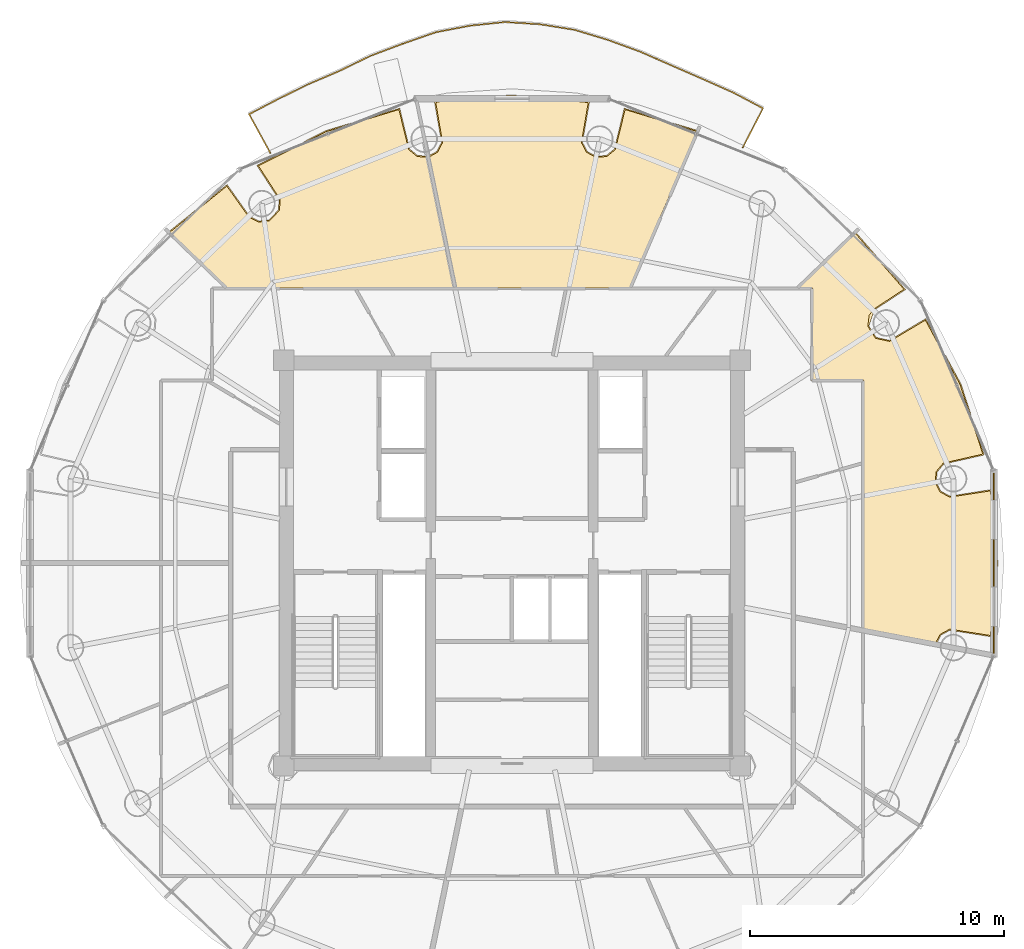
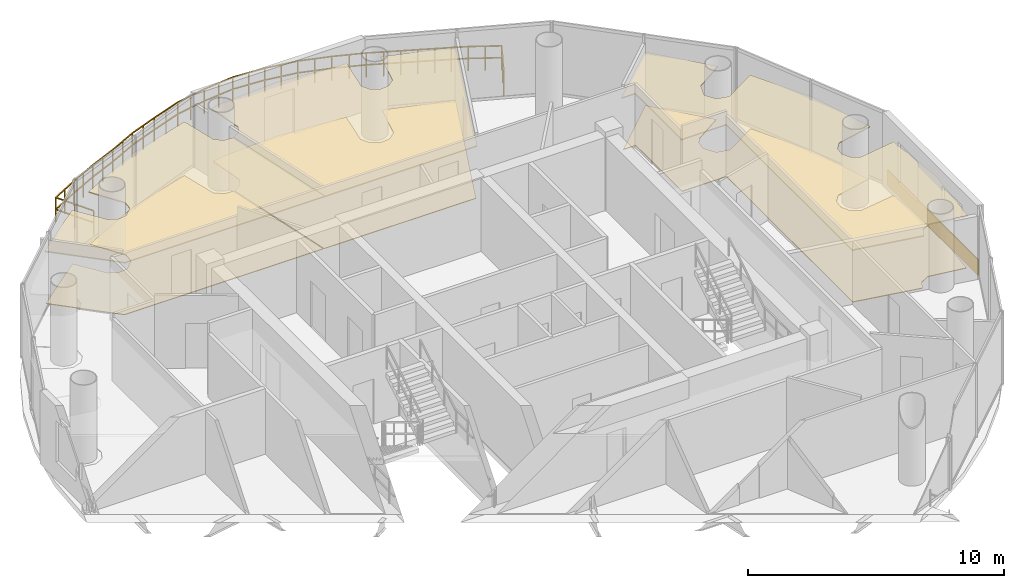
# One storey, part 23 of 23: 7 coverings, 1 railing.
"""IFC4 building model written with IfcOpenShell, lengths in metres."""

from ifc_helpers import new_model, si_unit, direction, frame, origin, origin_2d, place, context, subcontext, project, spatial, polyline, rectangle, outline, extrude, source, transform, mapped, material, layer, layer_set, type_object, element, save


model = new_model("IFC4")

# Units and contexts
model_context = context("Model", 3, precision=1e-05, world=origin(), true_north=direction((-0.2419218956, 0.970295726276)))
body_context = subcontext(model_context, "Body", "Model", "MODEL_VIEW")
ifc_project = project(units=[si_unit("LENGTHUNIT", "METRE"), si_unit("AREAUNIT", "SQUARE_METRE"), si_unit("VOLUMEUNIT", "CUBIC_METRE"), si_unit("PLANEANGLEUNIT", "RADIAN"), si_unit("MASSUNIT", "GRAM", prefix="KILO")], contexts=[model_context])

# Site, building, storey
site_placement = place(None, origin())
site = spatial("IfcSite", under=ifc_project, at=site_placement, CompositionType="ELEMENT")
building_placement = place(site_placement, origin())
building = spatial("IfcBuilding", under=site, at=building_placement, Name="Cobrevalo Terracotta Tower", CompositionType="ELEMENT")
storey_placement = place(building_placement, frame((0.0, 0.0, 263.199951171875)))
storey = spatial("IfcBuildingStorey", under=building, at=storey_placement, Name="L69", CompositionType="ELEMENT", Elevation=263.199951171875)

# Railing
ifc_material_1 = material(Name="Laminated structural glass and stainless steel", Category="steel")
railing_type = type_object("IfcRailingType", Name="Balcony lobe structural glass & terracotta-cap balustrade 1180 mm", PredefinedType="BALUSTRADE", material=ifc_material_1)
railing_placement = place(storey_placement, frame((47.09619140625, 43.18212890625, 0.0)))
element("IfcRailing", 1, at=railing_placement, inside=storey, type_object=railing_type, Name="L69 spiralling balcony lobe balustrade 1", PredefinedType="BALUSTRADE", context=body_context, shape_type="SweptSolid", body=[
    extrude(rectangle(XDim=0.048095703125, YDim=0.048095703125, at=origin_2d()), frame((0.0, 0.0, 1.15576171875), z_axis=(0.458575315671, 0.888655546237, 0.0), x_axis=(-0.888655546237, 0.458575315671, 0.0)), (0.0, 0.0, 1.0), 1.747802734375),
    extrude(rectangle(XDim=0.048095703125, YDim=0.048095703125, at=origin_2d()), frame((0.0, 0.0, 0.58984375), z_axis=(0.458575315671, 0.888655546237, 0.0), x_axis=(-0.888655546237, 0.458575315671, 0.0)), (0.0, 0.0, 1.0), 1.747802734375),
    extrude(rectangle(XDim=0.048095703125, YDim=0.048095703125, at=origin_2d()), frame((0.801513671875, 1.55322265625, 1.15576171875), z_axis=(-0.884233821263, 0.46704448325, 0.0), x_axis=(-0.46704448325, -0.884233821263, 0.0)), (0.0, 0.0, 1.0), 1.3173828125),
    extrude(rectangle(XDim=0.048095703125, YDim=0.048095703125, at=origin_2d()), frame((0.801513671875, 1.55322265625, 0.58984375), z_axis=(-0.884233821263, 0.46704448325, 0.0), x_axis=(-0.46704448325, -0.884233821263, 0.0)), (0.0, 0.0, 1.0), 1.3173828125),
    extrude(rectangle(XDim=0.048095703125, YDim=0.048095703125, at=origin_2d()), frame((-0.36328125, 2.16845703125, 1.15576171875), z_axis=(-0.913895497195, 0.405949529137, 0.0), x_axis=(-0.405949529137, -0.913895497195, 0.0)), (0.0, 0.0, 1.0), 1.31884765625),
    extrude(rectangle(XDim=0.048095703125, YDim=0.048095703125, at=origin_2d()), frame((-0.36328125, 2.16845703125, 0.58984375), z_axis=(-0.913895497195, 0.405949529137, 0.0), x_axis=(-0.405949529137, -0.913895497195, 0.0)), (0.0, 0.0, 1.0), 1.31884765625),
    extrude(rectangle(XDim=0.048095703125, YDim=0.048095703125, at=origin_2d()), frame((-1.568603515625, 2.703857421875, 1.15576171875), z_axis=(-0.916644342152, 0.399703827853, 0.0), x_axis=(-0.399703827853, -0.916644342152, 0.0)), (0.0, 0.0, 1.0), 1.332763671875),
    extrude(rectangle(XDim=0.048095703125, YDim=0.048095703125, at=origin_2d()), frame((-1.568603515625, 2.703857421875, 0.58984375), z_axis=(-0.916644342152, 0.399703827853, 0.0), x_axis=(-0.399703827853, -0.916644342152, 0.0)), (0.0, 0.0, 1.0), 1.332763671875),
    extrude(rectangle(XDim=0.048095703125, YDim=0.048095703125, at=origin_2d()), frame((-2.790283203125, 3.236572265625, 1.15576171875), z_axis=(-0.915480130157, 0.402363183315, 0.0), x_axis=(-0.402363183315, -0.915480130157, 0.0)), (0.0, 0.0, 1.0), 1.351318359375),
    extrude(rectangle(XDim=0.048095703125, YDim=0.048095703125, at=origin_2d()), frame((-2.790283203125, 3.236572265625, 0.58984375), z_axis=(-0.915480130157, 0.402363183315, 0.0), x_axis=(-0.402363183315, -0.915480130157, 0.0)), (0.0, 0.0, 1.0), 1.351318359375),
    extrude(rectangle(XDim=0.048095703125, YDim=0.048095703125, at=origin_2d()), frame((-4.02734375, 3.7802734375, 1.15576171875), z_axis=(-0.939396574317, 0.342832431608, 0.0), x_axis=(-0.342832431608, -0.939396574317, 0.0)), (0.0, 0.0, 1.0), 1.3671875),
    extrude(rectangle(XDim=0.048095703125, YDim=0.048095703125, at=origin_2d()), frame((-4.02734375, 3.7802734375, 0.58984375), z_axis=(-0.939396574317, 0.342832431608, 0.0), x_axis=(-0.342832431608, -0.939396574317, 0.0)), (0.0, 0.0, 1.0), 1.3671875),
    extrude(rectangle(XDim=0.048095703125, YDim=0.048095703125, at=origin_2d()), frame((-5.311767578125, 4.2490234375, 1.15576171875), z_axis=(-0.957131551735, 0.289653573555, 0.0), x_axis=(-0.289653573555, -0.957131551735, 0.0)), (0.0, 0.0, 1.0), 1.37890625),
    extrude(rectangle(XDim=0.048095703125, YDim=0.048095703125, at=origin_2d()), frame((-5.311767578125, 4.2490234375, 0.58984375), z_axis=(-0.957131551735, 0.289653573555, 0.0), x_axis=(-0.289653573555, -0.957131551735, 0.0)), (0.0, 0.0, 1.0), 1.37890625),
    extrude(rectangle(XDim=0.048095703125, YDim=0.048095703125, at=origin_2d()), frame((-6.631591796875, 4.6484375, 1.15576171875), z_axis=(-0.987324430422, 0.158715056288, 0.0), x_axis=(-0.158715056288, -0.987324430422, 0.0)), (0.0, 0.0, 1.0), 1.3798828125),
    extrude(rectangle(XDim=0.048095703125, YDim=0.048095703125, at=origin_2d()), frame((-6.631591796875, 4.6484375, 0.58984375), z_axis=(-0.987324430422, 0.158715056288, 0.0), x_axis=(-0.158715056288, -0.987324430422, 0.0)), (0.0, 0.0, 1.0), 1.3798828125),
    extrude(rectangle(XDim=0.048095703125, YDim=0.048095703125, at=origin_2d()), frame((-7.993896484375, 4.867431640625, 1.15576171875), z_axis=(-0.997959262064, 0.063853827296, 0.0), x_axis=(-0.063853827296, -0.997959262064, 0.0)), (0.0, 0.0, 1.0), 1.38037109375),
    extrude(rectangle(XDim=0.048095703125, YDim=0.048095703125, at=origin_2d()), frame((-7.993896484375, 4.867431640625, 0.58984375), z_axis=(-0.997959262064, 0.063853827296, 0.0), x_axis=(-0.063853827296, -0.997959262064, 0.0)), (0.0, 0.0, 1.0), 1.38037109375),
    extrude(rectangle(XDim=0.048095703125, YDim=0.048095703125, at=origin_2d()), frame((-9.371337890625, 4.95556640625, 1.15576171875), z_axis=(-0.994555663036, -0.104206684637, 0.0), x_axis=(0.104206684637, -0.994555663036, 0.0)), (0.0, 0.0, 1.0), 1.38232421875),
    extrude(rectangle(XDim=0.048095703125, YDim=0.048095703125, at=origin_2d()), frame((-9.371337890625, 4.95556640625, 0.58984375), z_axis=(-0.994555663036, -0.104206684637, 0.0), x_axis=(0.104206684637, -0.994555663036, 0.0)), (0.0, 0.0, 1.0), 1.38232421875),
    extrude(rectangle(XDim=0.048095703125, YDim=0.048095703125, at=origin_2d()), frame((-10.74609375, 4.8115234375, 1.15576171875), z_axis=(-0.982287325141, -0.187380924503, 0.0), x_axis=(0.187380924503, -0.982287325141, 0.0)), (0.0, 0.0, 1.0), 1.377197265625),
    extrude(rectangle(XDim=0.048095703125, YDim=0.048095703125, at=origin_2d()), frame((-10.74609375, 4.8115234375, 0.58984375), z_axis=(-0.982287325141, -0.187380924503, 0.0), x_axis=(0.187380924503, -0.982287325141, 0.0)), (0.0, 0.0, 1.0), 1.377197265625),
    extrude(rectangle(XDim=0.048095703125, YDim=0.048095703125, at=origin_2d()), frame((-12.098876953125, 4.553466796875, 1.15576171875), z_axis=(-0.944320251889, -0.329027752436, 0.0), x_axis=(0.329027752436, -0.944320251889, 0.0)), (0.0, 0.0, 1.0), 1.381591796875),
    extrude(rectangle(XDim=0.048095703125, YDim=0.048095703125, at=origin_2d()), frame((-12.098876953125, 4.553466796875, 0.58984375), z_axis=(-0.944320251889, -0.329027752436, 0.0), x_axis=(0.329027752436, -0.944320251889, 0.0)), (0.0, 0.0, 1.0), 1.381591796875),
    extrude(rectangle(XDim=0.048095703125, YDim=0.048095703125, at=origin_2d()), frame((-13.403564453125, 4.098876953125, 1.15576171875), z_axis=(-0.936152040165, -0.351595446067, 0.0), x_axis=(0.351595446067, -0.936152040165, 0.0)), (0.0, 0.0, 1.0), 1.3603515625),
    extrude(rectangle(XDim=0.048095703125, YDim=0.048095703125, at=origin_2d()), frame((-13.403564453125, 4.098876953125, 0.58984375), z_axis=(-0.936152040165, -0.351595446067, 0.0), x_axis=(0.351595446067, -0.936152040165, 0.0)), (0.0, 0.0, 1.0), 1.3603515625),
    extrude(rectangle(XDim=0.048095703125, YDim=0.048095703125, at=origin_2d()), frame((-14.677001953125, 3.62060546875, 1.15576171875), z_axis=(-0.899425029455, -0.437075069512, 0.0), x_axis=(0.437075069512, -0.899425029455, 0.0)), (0.0, 0.0, 1.0), 1.352294921875),
    extrude(rectangle(XDim=0.048095703125, YDim=0.048095703125, at=origin_2d()), frame((-14.677001953125, 3.62060546875, 0.58984375), z_axis=(-0.899425029455, -0.437075069512, 0.0), x_axis=(0.437075069512, -0.899425029455, 0.0)), (0.0, 0.0, 1.0), 1.352294921875),
    extrude(rectangle(XDim=0.048095703125, YDim=0.048095703125, at=origin_2d()), frame((-15.893310546875, 3.029541015625, 1.15576171875), z_axis=(-0.919515821722, -0.393052990834, 0.0), x_axis=(0.393052990834, -0.919515821722, 0.0)), (0.0, 0.0, 1.0), 1.32666015625),
    extrude(rectangle(XDim=0.048095703125, YDim=0.048095703125, at=origin_2d()), frame((-15.893310546875, 3.029541015625, 0.58984375), z_axis=(-0.919515821722, -0.393052990834, 0.0), x_axis=(0.393052990834, -0.919515821722, 0.0)), (0.0, 0.0, 1.0), 1.32666015625),
    extrude(rectangle(XDim=0.048095703125, YDim=0.048095703125, at=origin_2d()), frame((-17.11328125, 2.508056640625, 1.15576171875), z_axis=(-0.897881967075, -0.440236269748, 0.0), x_axis=(0.440236269748, -0.897881967075, 0.0)), (0.0, 0.0, 1.0), 1.318115234375),
    extrude(rectangle(XDim=0.048095703125, YDim=0.048095703125, at=origin_2d()), frame((-17.11328125, 2.508056640625, 0.58984375), z_axis=(-0.897881967075, -0.440236269748, 0.0), x_axis=(0.440236269748, -0.897881967075, 0.0)), (0.0, 0.0, 1.0), 1.318115234375),
    extrude(rectangle(XDim=0.048095703125, YDim=0.048095703125, at=origin_2d()), frame((-18.296875, 1.927734375, 1.15576171875), z_axis=(-0.88668742337, -0.462369347208, 0.0), x_axis=(0.462369347208, -0.88668742337, 0.0)), (0.0, 0.0, 1.0), 1.315185546875),
    extrude(rectangle(XDim=0.048095703125, YDim=0.048095703125, at=origin_2d()), frame((-18.296875, 1.927734375, 0.58984375), z_axis=(-0.88668742337, -0.462369347208, 0.0), x_axis=(0.462369347208, -0.88668742337, 0.0)), (0.0, 0.0, 1.0), 1.315185546875),
    extrude(rectangle(XDim=0.048095703125, YDim=0.048095703125, at=origin_2d()), frame((-19.463134765625, 1.319580078125, 1.15576171875), z_axis=(0.480296632153, -0.877106119658, 0.0), x_axis=(0.877106119658, 0.480296632153, 0.0)), (0.0, 0.0, 1.0), 1.739990234375),
    extrude(rectangle(XDim=0.048095703125, YDim=0.048095703125, at=origin_2d()), frame((-19.463134765625, 1.319580078125, 0.58984375), z_axis=(0.480296632153, -0.877106119658, 0.0), x_axis=(0.877106119658, 0.480296632153, 0.0)), (0.0, 0.0, 1.0), 1.739990234375),
    extrude(rectangle(XDim=0.0419921875, YDim=0.0419921875, at=origin_2d()), origin(), (0.0, 0.0, 1.0), 1.1318359375),
    extrude(rectangle(XDim=0.0419921875, YDim=0.0419921875, at=origin_2d()), frame((0.40087890625, 0.776611328125, 0.0)), (0.0, 0.0, 1.0), 1.1318359375),
    extrude(rectangle(XDim=0.0419921875, YDim=0.0419921875, at=origin_2d()), frame((0.801513671875, 1.55322265625, 0.0)), (0.0, 0.0, 1.0), 1.1318359375),
    extrude(rectangle(XDim=0.0419921875, YDim=0.0419921875, at=origin_2d()), frame((0.21923828125, 1.86083984375, 0.0)), (0.0, 0.0, 1.0), 1.1318359375),
    extrude(rectangle(XDim=0.0419921875, YDim=0.0419921875, at=origin_2d()), frame((-0.36328125, 2.16845703125, 0.0)), (0.0, 0.0, 1.0), 1.1318359375),
    extrude(rectangle(XDim=0.0419921875, YDim=0.0419921875, at=origin_2d()), frame((-0.9658203125, 2.43603515625, 0.0)), (0.0, 0.0, 1.0), 1.1318359375),
    extrude(rectangle(XDim=0.0419921875, YDim=0.0419921875, at=origin_2d()), frame((-1.568603515625, 2.703857421875, 0.0)), (0.0, 0.0, 1.0), 1.1318359375),
    extrude(rectangle(XDim=0.0419921875, YDim=0.0419921875, at=origin_2d()), frame((-2.179443359375, 2.97021484375, 0.0)), (0.0, 0.0, 1.0), 1.1318359375),
    extrude(rectangle(XDim=0.0419921875, YDim=0.0419921875, at=origin_2d()), frame((-2.790283203125, 3.236572265625, 0.0)), (0.0, 0.0, 1.0), 1.1318359375),
    extrude(rectangle(XDim=0.0419921875, YDim=0.0419921875, at=origin_2d()), frame((-3.40869140625, 3.50830078125, 0.0)), (0.0, 0.0, 1.0), 1.1318359375),
    extrude(rectangle(XDim=0.0419921875, YDim=0.0419921875, at=origin_2d()), frame((-4.02734375, 3.7802734375, 0.0)), (0.0, 0.0, 1.0), 1.1318359375),
    extrude(rectangle(XDim=0.0419921875, YDim=0.0419921875, at=origin_2d()), frame((-4.66943359375, 4.0146484375, 0.0)), (0.0, 0.0, 1.0), 1.1318359375),
    extrude(rectangle(XDim=0.0419921875, YDim=0.0419921875, at=origin_2d()), frame((-5.311767578125, 4.2490234375, 0.0)), (0.0, 0.0, 1.0), 1.1318359375),
    extrude(rectangle(XDim=0.0419921875, YDim=0.0419921875, at=origin_2d()), frame((-5.9716796875, 4.44873046875, 0.0)), (0.0, 0.0, 1.0), 1.1318359375),
    extrude(rectangle(XDim=0.0419921875, YDim=0.0419921875, at=origin_2d()), frame((-6.631591796875, 4.6484375, 0.0)), (0.0, 0.0, 1.0), 1.1318359375),
    extrude(rectangle(XDim=0.0419921875, YDim=0.0419921875, at=origin_2d()), frame((-7.312744140625, 4.7578125, 0.0)), (0.0, 0.0, 1.0), 1.1318359375),
    extrude(rectangle(XDim=0.0419921875, YDim=0.0419921875, at=origin_2d()), frame((-7.993896484375, 4.867431640625, 0.0)), (0.0, 0.0, 1.0), 1.1318359375),
    extrude(rectangle(XDim=0.0419921875, YDim=0.0419921875, at=origin_2d()), frame((-8.6826171875, 4.91162109375, 0.0)), (0.0, 0.0, 1.0), 1.1318359375),
    extrude(rectangle(XDim=0.0419921875, YDim=0.0419921875, at=origin_2d()), frame((-9.371337890625, 4.95556640625, 0.0)), (0.0, 0.0, 1.0), 1.1318359375),
    extrude(rectangle(XDim=0.0419921875, YDim=0.0419921875, at=origin_2d()), frame((-10.05859375, 4.883544921875, 0.0)), (0.0, 0.0, 1.0), 1.1318359375),
    extrude(rectangle(XDim=0.0419921875, YDim=0.0419921875, at=origin_2d()), frame((-10.74609375, 4.8115234375, 0.0)), (0.0, 0.0, 1.0), 1.1318359375),
    extrude(rectangle(XDim=0.0419921875, YDim=0.0419921875, at=origin_2d()), frame((-11.42236328125, 4.6826171875, 0.0)), (0.0, 0.0, 1.0), 1.1318359375),
    extrude(rectangle(XDim=0.0419921875, YDim=0.0419921875, at=origin_2d()), frame((-12.098876953125, 4.553466796875, 0.0)), (0.0, 0.0, 1.0), 1.1318359375),
    extrude(rectangle(XDim=0.0419921875, YDim=0.0419921875, at=origin_2d()), frame((-12.751220703125, 4.326171875, 0.0)), (0.0, 0.0, 1.0), 1.1318359375),
    extrude(rectangle(XDim=0.0419921875, YDim=0.0419921875, at=origin_2d()), frame((-13.403564453125, 4.098876953125, 0.0)), (0.0, 0.0, 1.0), 1.1318359375),
    extrude(rectangle(XDim=0.0419921875, YDim=0.0419921875, at=origin_2d()), frame((-14.040283203125, 3.85986328125, 0.0)), (0.0, 0.0, 1.0), 1.1318359375),
    extrude(rectangle(XDim=0.0419921875, YDim=0.0419921875, at=origin_2d()), frame((-14.677001953125, 3.62060546875, 0.0)), (0.0, 0.0, 1.0), 1.1318359375),
    extrude(rectangle(XDim=0.0419921875, YDim=0.0419921875, at=origin_2d()), frame((-15.28515625, 3.3251953125, 0.0)), (0.0, 0.0, 1.0), 1.1318359375),
    extrude(rectangle(XDim=0.0419921875, YDim=0.0419921875, at=origin_2d()), frame((-15.893310546875, 3.029541015625, 0.0)), (0.0, 0.0, 1.0), 1.1318359375),
    extrude(rectangle(XDim=0.0419921875, YDim=0.0419921875, at=origin_2d()), frame((-16.50341796875, 2.768798828125, 0.0)), (0.0, 0.0, 1.0), 1.1318359375),
    extrude(rectangle(XDim=0.0419921875, YDim=0.0419921875, at=origin_2d()), frame((-17.11328125, 2.508056640625, 0.0)), (0.0, 0.0, 1.0), 1.1318359375),
    extrude(rectangle(XDim=0.0419921875, YDim=0.0419921875, at=origin_2d()), frame((-17.705078125, 2.2177734375, 0.0)), (0.0, 0.0, 1.0), 1.1318359375),
    extrude(rectangle(XDim=0.0419921875, YDim=0.0419921875, at=origin_2d()), frame((-18.296875, 1.927734375, 0.0)), (0.0, 0.0, 1.0), 1.1318359375),
    extrude(rectangle(XDim=0.0419921875, YDim=0.0419921875, at=origin_2d()), frame((-18.8798828125, 1.62353515625, 0.0)), (0.0, 0.0, 1.0), 1.1318359375),
    extrude(rectangle(XDim=0.0419921875, YDim=0.0419921875, at=origin_2d()), frame((-19.463134765625, 1.319580078125, 0.0)), (0.0, 0.0, 1.0), 1.1318359375),
    extrude(rectangle(XDim=0.0419921875, YDim=0.0419921875, at=origin_2d()), frame((-19.04541015625, 0.556640625, 0.0)), (0.0, 0.0, 1.0), 1.1318359375),
    extrude(rectangle(XDim=0.0419921875, YDim=0.0419921875, at=origin_2d()), frame((-18.62744140625, -0.20654296875, 0.0)), (0.0, 0.0, 1.0), 1.1318359375),
])

# Coverings
ifc_material_2 = material(Name="Engineered Brazilian hardwood flooring", Category="wood")
ifc_layer_1 = layer(ifc_material_2, 0.028076171875)
ifc_layer_set_1 = layer_set([ifc_layer_1], Name="Engineered Brazilian hardwood flooring")
covering_type_1 = type_object("IfcCoveringType", Name="Engineered Hardwood Suite Flooring 28", PredefinedType="FLOORING", material=ifc_layer_set_1)
covering_1_placement = place(storey_placement, origin())
element("IfcCovering", 2, at=covering_1_placement, inside=storey, type_object=covering_type_1, Name="Flat L69A Living and Dining Room floor finish", PredefinedType="FLOORING", context=body_context, shape_type="SweptSolid", body=[
    extrude(outline(polyline([(51.52978515625, 39.81396484375), (53.4560546875, 37.599365234375), (52.2451171875, 36.805419921875), (52.080078125, 36.568359375), (52.0302734375, 36.1416015625), (52.336181640625, 35.664794921875), (52.8896484375, 35.5439453125), (54.300048828125, 36.382568359375), (55.66455078125, 33.848876953125), (56.56494140625, 31.1005859375), (55.00244140625, 30.74462890625), (54.727294921875, 30.41455078125), (54.681884765625, 29.9873046875), (54.881591796875, 29.60693359375), (55.259033203125, 29.401611328125), (56.8642578125, 29.65087890625), (57.119873046875, 26.800048828125), (56.8642578125, 23.948974609375), (55.259033203125, 24.198486328125), (54.881591796875, 23.9931640625), (54.6845703125, 23.621337890625), (51.85498046875, 24.163818359375), (51.85498046875, 34.030029296875), (49.844970703125, 34.030029296875), (49.844970703125, 37.64501953125), (49.27978515625, 37.64501953125), (51.52978515625, 39.81396484375)])), origin(), (0.0, 0.0, 1.0), 0.030029296875),
])
covering_2_placement = place(storey_placement, origin())
element("IfcCovering", 3, at=covering_2_placement, inside=storey, type_object=covering_type_1, Name="Flat L69A Penthouse Family Lounge floor finish", PredefinedType="FLOORING", context=body_context, shape_type="SweptSolid", body=[
    extrude(outline(polyline([(34.71728515625, 42.80712890625), (35.064453125, 43.003173828125), (35.26416015625, 43.3837890625), (34.994140625, 44.964599609375), (35.504150390625, 45.062255859375), (38.0, 45.219970703125), (41.005859375, 44.964599609375), (40.73583984375, 43.3837890625), (40.935546875, 43.003173828125), (41.312744140625, 42.797607421875), (41.74072265625, 42.83642578125), (42.074951171875, 43.1064453125), (42.45947265625, 44.68603515625), (45.294189453125, 43.8251953125), (42.638427734375, 37.64501953125), (35.782470703125, 37.64501953125), (34.71728515625, 42.80712890625)])), origin(), (0.0, 0.0, 1.0), 0.030029296875),
])
covering_3_placement = place(storey_placement, origin())
element("IfcCovering", 4, at=covering_3_placement, inside=storey, type_object=covering_type_1, Name="Flat L69A Principal Guest Bedroom floor finish", PredefinedType="FLOORING", context=body_context, shape_type="SweptSolid", body=[
    extrude(outline(polyline([(24.49951171875, 39.841064453125), (26.756103515625, 41.668212890625), (27.625244140625, 40.443603515625), (28.0078125, 40.248046875), (28.4345703125, 40.29833984375), (28.82763671875, 40.706298828125), (28.861572265625, 41.134521484375), (28.00146484375, 42.4697265625), (30.682861328125, 43.817626953125), (33.54052734375, 44.68603515625), (33.925048828125, 43.1064453125), (34.25927734375, 42.83642578125), (34.678466796875, 42.796630859375), (35.74169921875, 37.64501953125), (26.77783203125, 37.64501953125), (24.49951171875, 39.841064453125)])), origin(), (0.0, 0.0, 1.0), 0.030029296875),
])
ifc_material_3 = material(Name="Acoustic perforated gypsum ceiling", Category="gypsum")
ifc_layer_2 = layer(ifc_material_3, 0.050048828125)
ifc_layer_set_2 = layer_set([ifc_layer_2], Name="Acoustic perforated gypsum ceiling")
covering_type_2 = type_object("IfcCoveringType", Name="Perforated Acoustic Gypsum Ceiling 50", PredefinedType="CEILING", material=ifc_layer_set_2)
covering_4_placement = place(storey_placement, frame((0.0, 0.0, 2.5)))
element("IfcCovering", 5, at=covering_4_placement, inside=storey, type_object=covering_type_2, Name="Flat L69A Living and Dining Room acoustic ceiling", PredefinedType="CEILING", context=body_context, shape_type="SweptSolid", body=[
    extrude(outline(polyline([(51.531982421875, 39.87841796875), (53.51953125, 37.586669921875), (52.2763671875, 36.772705078125), (52.07470703125, 36.1494140625), (52.362060546875, 35.701904296875), (52.881591796875, 35.588623046875), (54.312255859375, 36.44384765625), (55.7060546875, 33.86669921875), (56.6181640625, 31.06494140625), (55.02734375, 30.70703125), (54.76904296875, 30.39697265625), (54.726318359375, 29.995849609375), (54.913818359375, 29.638671875), (55.268310546875, 29.44580078125), (56.899169921875, 29.703369140625), (57.1650390625, 26.800048828125), (56.899169921875, 23.896484375), (55.268310546875, 24.154296875), (54.913818359375, 23.96142578125), (54.716064453125, 23.569580078125), (51.81005859375, 24.126708984375), (51.81005859375, 33.985107421875), (49.800048828125, 33.985107421875), (49.800048828125, 37.60009765625), (49.168212890625, 37.60009765625), (51.531982421875, 39.87841796875)])), origin(), (0.0, 0.0, 1.0), 0.050048828125),
])
covering_5_placement = place(storey_placement, frame((0.0, 0.0, 2.5)))
element("IfcCovering", 6, at=covering_5_placement, inside=storey, type_object=covering_type_2, Name="Flat L69A Penthouse Family Lounge acoustic ceiling", PredefinedType="CEILING", context=body_context, shape_type="SweptSolid", body=[
    extrude(outline(polyline([(34.6650390625, 42.837890625), (35.0322265625, 43.034912109375), (35.2197265625, 43.39208984375), (34.94091796875, 45.000244140625), (35.49853515625, 45.107177734375), (38.0, 45.26513671875), (41.05908203125, 45.000244140625), (40.7802734375, 43.39208984375), (40.9677734375, 43.034912109375), (41.322021484375, 42.842041015625), (41.7236328125, 42.87841796875), (42.03759765625, 43.1318359375), (42.424560546875, 44.738525390625), (45.35498046875, 43.852783203125), (42.668212890625, 37.60009765625), (35.745849609375, 37.60009765625), (34.6650390625, 42.837890625)])), origin(), (0.0, 0.0, 1.0), 0.050048828125),
])
covering_6_placement = place(storey_placement, frame((0.0, 0.0, 2.5)))
element("IfcCovering", 7, at=covering_6_placement, inside=storey, type_object=covering_type_2, Name="Flat L69A Principal Guest Bedroom acoustic ceiling", PredefinedType="CEILING", context=body_context, shape_type="SweptSolid", body=[
    extrude(outline(polyline([(24.432373046875, 39.84326171875), (26.768310546875, 41.7294921875), (27.656494140625, 40.47607421875), (28.015869140625, 40.292724609375), (28.41650390625, 40.339599609375), (28.785400390625, 40.72265625), (28.8173828125, 41.124755859375), (27.937744140625, 42.482421875), (30.666259765625, 43.859619140625), (33.575439453125, 44.738525390625), (33.96240234375, 43.1318359375), (34.2763671875, 42.87841796875), (34.71435546875, 42.845703125), (35.796875, 37.60009765625), (26.759765625, 37.60009765625), (24.432373046875, 39.84326171875)])), origin(), (0.0, 0.0, 1.0), 0.050048828125),
])
ifc_material_4 = material(Name="Glazed terracotta facade cladding tile", Category="masonry")
ifc_layer_3 = layer(ifc_material_4, 0.044921875)
ifc_layer_set_3 = layer_set([ifc_layer_3], Name="Glazed terracotta facade cladding tile")
covering_type_3 = type_object("IfcCoveringType", Name="Architectural terracotta rainscreen spandrel cladding 45 mm", PredefinedType="CLADDING", material=ifc_layer_set_3)
shared_shape = source(origin(), body_context, "Body", "SweptSolid", [
    extrude(rectangle(XDim=7.084716796875, YDim=0.044921875, at=origin_2d()), origin(), (0.0, 0.0, 1.0), 0.760009765625),
])
covering_7_placement = place(storey_placement, frame((56.997802734375, 26.800048828125, 0.0400390625), z_axis=(0.0, 0.0, 1.0), x_axis=(0.0, 1.0, 0.0)))
element("IfcCovering", 8, at=covering_7_placement, inside=storey, type_object=covering_type_3, Name="L69 terracotta spandrel cladding S16", PredefinedType="CLADDING", context=body_context, shape_type="MappedRepresentation", body=[
    mapped(shared_shape, transform((0.0, 0.0, 0.0), scale=1.0)),
])

save(model, "model.ifc")
